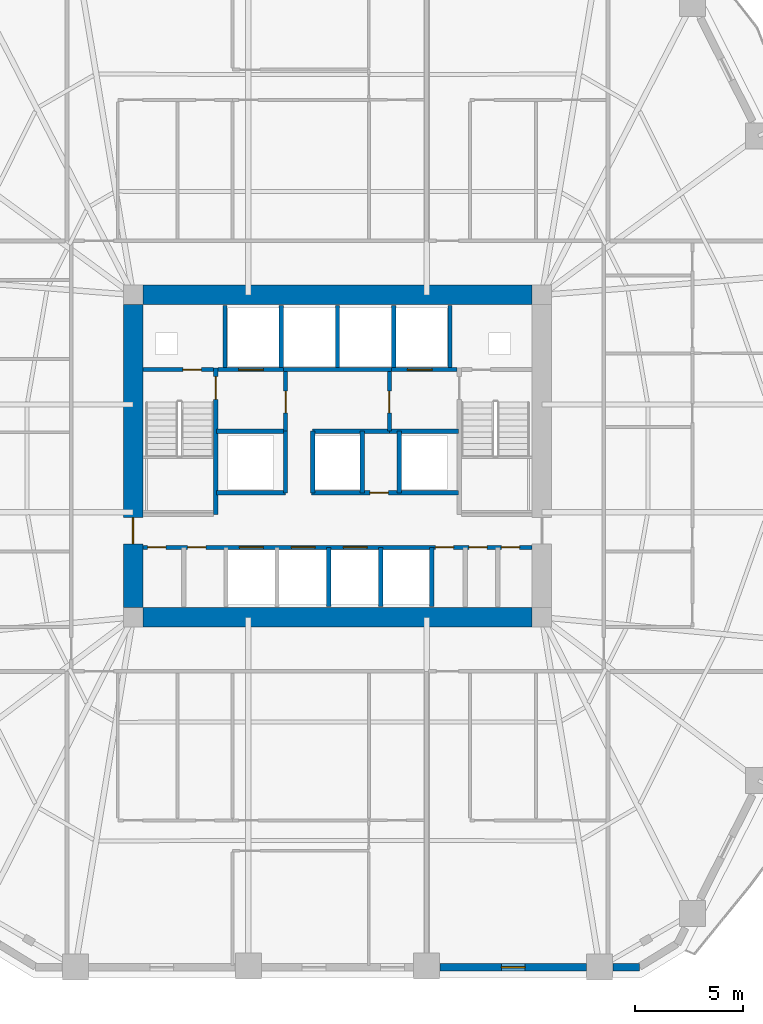
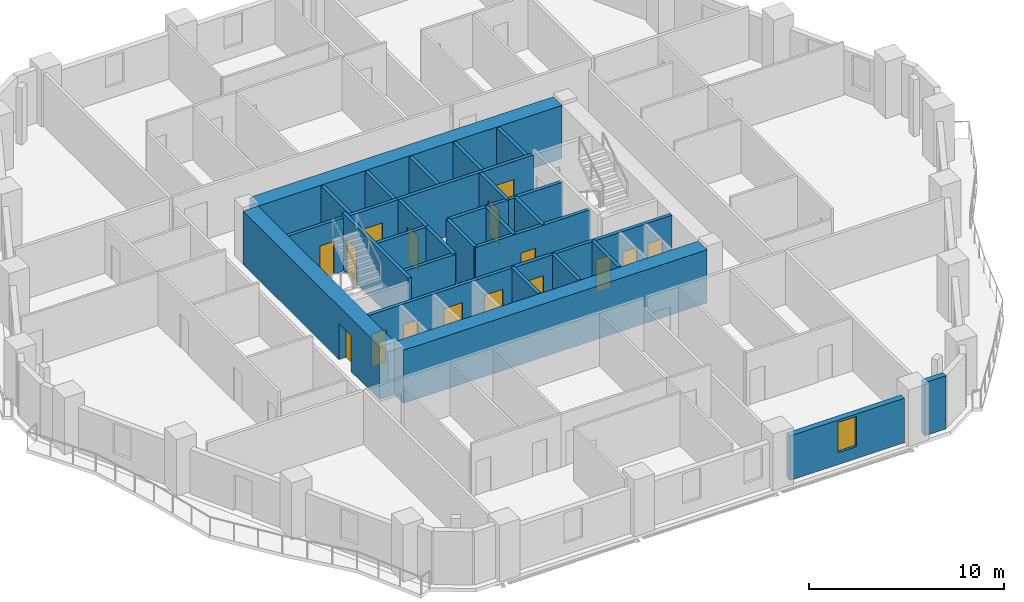
# One storey, part 5 of 11: 30 walls, 16 doors, 1 window, 17 openings.
"""IFC4 building model written with IfcOpenShell, lengths in metres."""

from ifc_helpers import new_model, si_unit, direction, frame, frame_2d, origin, place, context, subcontext, project, spatial, rectangle, extrude, material, layer, layer_set, type_object, element, fill, save


model = new_model("IFC4")

# Units and contexts
model_context = context("Model", 3, precision=1e-05, world=origin(), true_north=direction((0.0, 1.0)))
body_context = subcontext(model_context, "Body", "Model", "MODEL_VIEW")
ifc_project = project(units=[si_unit("LENGTHUNIT", "METRE"), si_unit("AREAUNIT", "SQUARE_METRE"), si_unit("VOLUMEUNIT", "CUBIC_METRE"), si_unit("PLANEANGLEUNIT", "RADIAN"), si_unit("MASSUNIT", "GRAM", prefix="KILO")], contexts=[model_context])

# Site, building, storey
site_placement = place(None, origin())
site = spatial("IfcSite", under=ifc_project, at=site_placement, CompositionType="ELEMENT")
building_placement = place(site_placement, origin())
building = spatial("IfcBuilding", under=site, at=building_placement, Name="Cinnabar Lancet Tower", CompositionType="ELEMENT")
storey_placement = place(building_placement, frame((0.0, 0.0, 56.85009765625)))
storey = spatial("IfcBuildingStorey", under=building, at=storey_placement, Name="L14", CompositionType="ELEMENT", Elevation=56.85009765625)

# Wall, opening, door
ifc_material_1 = material(Name="Autoclaved aerated concrete blockwork", Category="masonry")
ifc_layer_1 = layer(ifc_material_1, 0.199951171875)
ifc_layer_set_1 = layer_set([ifc_layer_1], Name="Autoclaved aerated concrete blockwork")
wall_type_1 = type_object("IfcWallType", Name="ARC-WL-SHAFT-200", PredefinedType="PLUMBINGWALL", material=ifc_layer_set_1)
wall_1_placement = place(storey_placement, frame((23.405029296875, 29.89990234375, 0.0), z_axis=(0.0, 0.0, 1.0), x_axis=(1.0, 0.0, 0.0)))
wall_1 = element("IfcWall", 1, at=wall_1_placement, inside=storey, type_object=wall_type_1, Name="CW-NSH-W-L14", PredefinedType="PLUMBINGWALL", context=body_context, shape_type="SweptSolid", body=[
    extrude(rectangle(XDim=3.27001953125, YDim=0.199951171875, at=frame_2d((1.635009765625, 0.0))), origin(), (0.0, 0.0, 1.0), 3.329833984375),
])
opening_1_placement = place(wall_1_placement, frame((1.85009765625, 0.0, 0.0)))
opening_1 = element("IfcOpeningElement", 2, at=opening_1_placement, cuts=wall_1, Name="Opening PD-02", PredefinedType="OPENING", context=body_context, shape_type="SweptSolid", body=[
    extrude(rectangle(XDim=0.85009765625, YDim=2.050048828125, at=frame_2d((0.425048828125, 1.02490234375))), frame((0.0, 0.10986328125, 0.0), z_axis=(0.0, -1.0, 0.0), x_axis=(1.0, 0.0, 0.0)), (0.0, 0.0, 1.0), 0.219970703125),
])
ifc_material_2 = material(Name="Fire-rated steel riser access door", Category="steel")
door_type_1 = type_object("IfcDoorType", Name="ARC-DR-RISER", OperationType="NOTDEFINED", PredefinedType="DOOR", material=ifc_material_2)
door_1_placement = place(opening_1_placement, origin())
door_1 = element("IfcDoor", 3, at=door_1_placement, inside=storey, type_object=door_type_1, Name="L14 West Riser Access Door", OperationType="SINGLE_SWING_LEFT", OverallHeight=2.050048828125, OverallWidth=0.85009765625, PredefinedType="DOOR", context=body_context, shape_type="SweptSolid", body=[
    extrude(rectangle(XDim=0.85009765625, YDim=2.050048828125, at=frame_2d((0.425048828125, 1.02490234375))), frame((0.0, 0.02490234375, 0.0), z_axis=(0.0, -1.0, 0.0), x_axis=(1.0, 0.0, 0.0)), (0.0, 0.0, 1.0), 0.050048828125),
])
fill(opening_1, door_1)

wall_2_placement = place(storey_placement, frame((26.885009765625, 29.89990234375, 0.0), z_axis=(0.0, 0.0, 1.0), x_axis=(1.0, 0.0, 0.0)))
wall_2 = element("IfcWall", 4, at=wall_2_placement, inside=storey, type_object=wall_type_1, Name="CW-FL1-L14", PredefinedType="PLUMBINGWALL", context=body_context, shape_type="SweptSolid", body=[
    extrude(rectangle(XDim=3.014892578125, YDim=0.199951171875, at=frame_2d((1.50732421875, 0.0))), origin(), (0.0, 0.0, 1.0), 3.329833984375),
])
opening_2_placement = place(wall_2_placement, frame((0.93994140625, 0.0, 0.0)))
opening_2 = element("IfcOpeningElement", 5, at=opening_2_placement, cuts=wall_2, Name="Opening LD-02", PredefinedType="OPENING", context=body_context, shape_type="SweptSolid", body=[
    extrude(rectangle(XDim=1.14990234375, YDim=2.199951171875, at=frame_2d((0.574951171875, 1.10009765625))), frame((0.0, 0.10986328125, 0.0), z_axis=(0.0, -1.0, 0.0), x_axis=(1.0, 0.0, 0.0)), (0.0, 0.0, 1.0), 0.219970703125),
])
ifc_material_3 = material(Name="Fire-rated stainless steel firefighting lift landing door", Category="steel")
door_type_2 = type_object("IfcDoorType", Name="ARC-DR-LD-FIRE", OperationType="NOTDEFINED", PredefinedType="DOOR", material=ifc_material_3)
door_2_placement = place(opening_2_placement, origin())
door_2 = element("IfcDoor", 6, at=door_2_placement, inside=storey, type_object=door_type_2, Name="L14 Firefighting Lift FL-1 Landing Door", OperationType="DOUBLE_DOOR_SLIDING", OverallHeight=2.199951171875, OverallWidth=1.14990234375, PredefinedType="DOOR", context=body_context, shape_type="SweptSolid", body=[
    extrude(rectangle(XDim=1.14990234375, YDim=2.199951171875, at=frame_2d((0.574951171875, 1.10009765625))), frame((0.0, 0.02490234375, 0.0), z_axis=(0.0, -1.0, 0.0), x_axis=(1.0, 0.0, 0.0)), (0.0, 0.0, 1.0), 0.050048828125),
])
fill(opening_2, door_2)

# Wall
wall_3_placement = place(storey_placement, frame((29.89990234375, 29.89990234375, 0.0), z_axis=(0.0, 0.0, 1.0), x_axis=(1.0, 0.0, 0.0)))
element("IfcWall", 7, at=wall_3_placement, inside=storey, type_object=wall_type_1, Name="CW-PL78-L14", PredefinedType="PLUMBINGWALL", context=body_context, shape_type="SweptSolid", body=[
    extrude(rectangle(XDim=5.0, YDim=0.199951171875, at=frame_2d((2.5, 0.0))), origin(), (0.0, 0.0, 1.0), 3.329833984375),
])

# Wall, opening, door
wall_4_placement = place(storey_placement, frame((34.89990234375, 29.89990234375, 0.0), z_axis=(0.0, 0.0, 1.0), x_axis=(1.0, 0.0, 0.0)))
wall_4 = element("IfcWall", 8, at=wall_4_placement, inside=storey, type_object=wall_type_1, Name="CW-FL2-L14", PredefinedType="PLUMBINGWALL", context=body_context, shape_type="SweptSolid", body=[
    extrude(rectangle(XDim=3.01513671875, YDim=0.199951171875, at=frame_2d((1.507568359375, 0.0))), origin(), (0.0, 0.0, 1.0), 3.329833984375),
])
opening_3_placement = place(wall_4_placement, frame((0.72509765625, 0.0, 0.0)))
opening_3 = element("IfcOpeningElement", 9, at=opening_3_placement, cuts=wall_4, Name="Opening LD-02", PredefinedType="OPENING", context=body_context, shape_type="SweptSolid", body=[
    extrude(rectangle(XDim=1.14990234375, YDim=2.199951171875, at=frame_2d((0.574951171875, 1.10009765625))), frame((0.0, 0.10986328125, 0.0), z_axis=(0.0, -1.0, 0.0), x_axis=(1.0, 0.0, 0.0)), (0.0, 0.0, 1.0), 0.219970703125),
])
door_3_placement = place(opening_3_placement, origin())
door_3 = element("IfcDoor", 10, at=door_3_placement, inside=storey, type_object=door_type_2, Name="L14 Firefighting Lift FL-2 Landing Door", OperationType="DOUBLE_DOOR_SLIDING", OverallHeight=2.199951171875, OverallWidth=1.14990234375, PredefinedType="DOOR", context=body_context, shape_type="SweptSolid", body=[
    extrude(rectangle(XDim=1.14990234375, YDim=2.199951171875, at=frame_2d((0.574951171875, 1.10009765625))), frame((0.0, 0.02490234375, 0.0), z_axis=(0.0, -1.0, 0.0), x_axis=(1.0, 0.0, 0.0)), (0.0, 0.0, 1.0), 0.050048828125),
])
fill(opening_3, door_3)

# Walls
for number, where, z_axis, x_axis, name in (
    (11, (27.199951171875, 30.0, 0.0), (0.0, 0.0, 1.0), (0.0, 1.0, 0.0), "CW-NSH-D1-L14"),
    (12, (29.800048828125, 30.0, 0.0), (0.0, 0.0, 1.0), (0.0, 1.0, 0.0), "CW-NSH-D2-L14"),
    (13, (32.39990234375, 30.0, 0.0), (0.0, 0.0, 1.0), (0.0, 1.0, 0.0), "CW-NSH-D3-L14"),
    (14, (35.0, 30.0, 0.0), (0.0, 0.0, 1.0), (0.0, 1.0, 0.0), "CW-NSH-D4-L14"),
    (15, (37.60009765625, 30.0, 0.0), (0.0, 0.0, 1.0), (0.0, 1.0, 0.0), "CW-NSH-D5-L14"),
):
    element("IfcWall", number, at=place(storey_placement, frame(where, z_axis=z_axis, x_axis=x_axis)), inside=storey, type_object=wall_type_1, Name=name, PredefinedType="PLUMBINGWALL", context=body_context, shape_type="SweptSolid", body=[
        extrude(rectangle(XDim=2.85009765625, YDim=0.199951171875, at=frame_2d((1.425048828125, 0.0))), origin(), (0.0, 0.0, 1.0), 3.329833984375),
    ])

# Wall, opening, door
wall_5_placement = place(storey_placement, frame((30.0, 27.050048828125, 0.0), z_axis=(0.0, 0.0, 1.0), x_axis=(0.0, 1.0, 0.0)))
wall_5 = element("IfcWall", 16, at=wall_5_placement, inside=storey, type_object=wall_type_1, Name="CW-FF1E-L14", PredefinedType="PLUMBINGWALL", context=body_context, shape_type="SweptSolid", body=[
    extrude(rectangle(XDim=2.75, YDim=0.199951171875, at=frame_2d((1.375, 0.0))), origin(), (0.0, 0.0, 1.0), 3.329833984375),
])
opening_4_placement = place(wall_5_placement, frame((0.85009765625, 0.0, 0.0)))
opening_4 = element("IfcOpeningElement", 17, at=opening_4_placement, cuts=wall_5, Name="Opening FD-01", PredefinedType="OPENING", context=body_context, shape_type="SweptSolid", body=[
    extrude(rectangle(XDim=1.0, YDim=2.14990234375, at=frame_2d((0.5, 1.074951171875))), frame((0.0, 0.10986328125, 0.0), z_axis=(0.0, -1.0, 0.0), x_axis=(1.0, 0.0, 0.0)), (0.0, 0.0, 1.0), 0.219970703125),
])
ifc_material_4 = material(Name="Fire-rated timber-core lobby door", Category="wood")
door_type_3 = type_object("IfcDoorType", Name="ARC-DR-FFAL", OperationType="NOTDEFINED", PredefinedType="DOOR", material=ifc_material_4)
door_4_placement = place(opening_4_placement, origin())
door_4 = element("IfcDoor", 18, at=door_4_placement, inside=storey, type_object=door_type_3, Name="L14 FFAL-1 Lobby Fire Door", OperationType="SINGLE_SWING_RIGHT", OverallHeight=2.14990234375, OverallWidth=1.0, PredefinedType="DOOR", context=body_context, shape_type="SweptSolid", body=[
    extrude(rectangle(XDim=1.0, YDim=2.14990234375, at=frame_2d((0.5, 1.074951171875))), frame((0.0, 0.02490234375, 0.0), z_axis=(0.0, -1.0, 0.0), x_axis=(1.0, 0.0, 0.0)), (0.0, 0.0, 1.0), 0.050048828125),
])
fill(opening_4, door_4)

# Wall
wall_6_placement = place(storey_placement, frame((26.800048828125, 27.050048828125, 0.0), z_axis=(0.0, 0.0, 1.0), x_axis=(1.0, 0.0, 0.0)))
element("IfcWall", 19, at=wall_6_placement, inside=storey, type_object=wall_type_1, Name="CW-FF1S-L14", PredefinedType="PLUMBINGWALL", context=body_context, shape_type="SweptSolid", body=[
    extrude(rectangle(XDim=3.199951171875, YDim=0.199951171875, at=frame_2d((1.60009765625, 0.0))), origin(), (0.0, 0.0, 1.0), 3.329833984375),
])

# Wall, opening, door
wall_7_placement = place(storey_placement, frame((34.800048828125, 27.050048828125, 0.0), z_axis=(0.0, 0.0, 1.0), x_axis=(0.0, 1.0, 0.0)))
wall_7 = element("IfcWall", 20, at=wall_7_placement, inside=storey, type_object=wall_type_1, Name="CW-FF2W-L14", PredefinedType="PLUMBINGWALL", context=body_context, shape_type="SweptSolid", body=[
    extrude(rectangle(XDim=2.75, YDim=0.199951171875, at=frame_2d((1.375, 0.0))), origin(), (0.0, 0.0, 1.0), 3.329833984375),
])
opening_5_placement = place(wall_7_placement, frame((0.85009765625, 0.0, 0.0)))
opening_5 = element("IfcOpeningElement", 21, at=opening_5_placement, cuts=wall_7, Name="Opening FD-01", PredefinedType="OPENING", context=body_context, shape_type="SweptSolid", body=[
    extrude(rectangle(XDim=1.0, YDim=2.14990234375, at=frame_2d((0.5, 1.074951171875))), frame((0.0, 0.10986328125, 0.0), z_axis=(0.0, -1.0, 0.0), x_axis=(1.0, 0.0, 0.0)), (0.0, 0.0, 1.0), 0.219970703125),
])
door_5_placement = place(opening_5_placement, origin())
door_5 = element("IfcDoor", 22, at=door_5_placement, inside=storey, type_object=door_type_3, Name="L14 FFAL-2 Lobby Fire Door", OperationType="SINGLE_SWING_LEFT", OverallHeight=2.14990234375, OverallWidth=1.0, PredefinedType="DOOR", context=body_context, shape_type="SweptSolid", body=[
    extrude(rectangle(XDim=1.0, YDim=2.14990234375, at=frame_2d((0.5, 1.074951171875))), frame((0.0, 0.02490234375, 0.0), z_axis=(0.0, -1.0, 0.0), x_axis=(1.0, 0.0, 0.0)), (0.0, 0.0, 1.0), 0.050048828125),
])
fill(opening_5, door_5)

# Walls
for number, where, z_axis, x_axis, name in (
    (23, (34.800048828125, 27.050048828125, 0.0), (0.0, 0.0, 1.0), (1.0, 0.0, 0.0), "CW-FF2S-L14"),
    (24, (26.800048828125, 24.199951171875, 0.0), (0.0, 0.0, 1.0), (1.0, 0.0, 0.0), "CW-PL5S-L14"),
):
    element("IfcWall", number, at=place(storey_placement, frame(where, z_axis=z_axis, x_axis=x_axis)), inside=storey, type_object=wall_type_1, Name=name, PredefinedType="PLUMBINGWALL", context=body_context, shape_type="SweptSolid", body=[
        extrude(rectangle(XDim=3.199951171875, YDim=0.199951171875, at=frame_2d((1.60009765625, 0.0))), origin(), (0.0, 0.0, 1.0), 3.329833984375),
    ])
wall_8_placement = place(storey_placement, frame((30.0, 24.199951171875, 0.0), z_axis=(0.0, 0.0, 1.0), x_axis=(0.0, 1.0, 0.0)))
element("IfcWall", 25, at=wall_8_placement, inside=storey, type_object=wall_type_1, Name="CW-PL5E-L14", PredefinedType="PLUMBINGWALL", context=body_context, shape_type="SweptSolid", body=[
    extrude(rectangle(XDim=2.85009765625, YDim=0.199951171875, at=frame_2d((1.425048828125, 0.0))), origin(), (0.0, 0.0, 1.0), 3.329833984375),
])

# Wall, opening, door
wall_9_placement = place(storey_placement, frame((31.199951171875, 24.199951171875, 0.0), z_axis=(0.0, 0.0, 1.0), x_axis=(1.0, 0.0, 0.0)))
wall_9 = element("IfcWall", 26, at=wall_9_placement, inside=storey, type_object=wall_type_1, Name="CW-PL96S-L14", PredefinedType="PLUMBINGWALL", context=body_context, shape_type="SweptSolid", body=[
    extrude(rectangle(XDim=6.800048828125, YDim=0.199951171875, at=frame_2d((3.39990234375, 0.0))), origin(), (0.0, 0.0, 1.0), 3.329833984375),
])
opening_6_placement = place(wall_9_placement, frame((2.699951171875, 0.0, 0.0)))
opening_6 = element("IfcOpeningElement", 27, at=opening_6_placement, cuts=wall_9, Name="Opening PD-02", PredefinedType="OPENING", context=body_context, shape_type="SweptSolid", body=[
    extrude(rectangle(XDim=0.85009765625, YDim=2.050048828125, at=frame_2d((0.425048828125, 1.02490234375))), frame((0.0, 0.10986328125, 0.0), z_axis=(0.0, -1.0, 0.0), x_axis=(1.0, 0.0, 0.0)), (0.0, 0.0, 1.0), 0.219970703125),
])
door_6_placement = place(opening_6_placement, origin())
door_6 = element("IfcDoor", 28, at=door_6_placement, inside=storey, type_object=door_type_1, Name="L14 BMS Closet Door", OperationType="SINGLE_SWING_LEFT", OverallHeight=2.050048828125, OverallWidth=0.85009765625, PredefinedType="DOOR", context=body_context, shape_type="SweptSolid", body=[
    extrude(rectangle(XDim=0.85009765625, YDim=2.050048828125, at=frame_2d((0.425048828125, 1.02490234375))), frame((0.0, 0.02490234375, 0.0), z_axis=(0.0, -1.0, 0.0), x_axis=(1.0, 0.0, 0.0)), (0.0, 0.0, 1.0), 0.050048828125),
])
fill(opening_6, door_6)

# Walls
for number, where, z_axis, x_axis, name in (
    (29, (31.25, 24.199951171875, 0.0), (0.0, 0.0, 1.0), (0.0, 1.0, 0.0), "CW-PL9W-L14"),
    (30, (33.550048828125, 24.199951171875, 0.0), (0.0, 0.0, 1.0), (0.0, 1.0, 0.0), "CW-PL9E-L14"),
    (31, (35.25, 24.199951171875, 0.0), (0.0, 0.0, 1.0), (0.0, 1.0, 0.0), "CW-PL6W-L14"),
):
    element("IfcWall", number, at=place(storey_placement, frame(where, z_axis=z_axis, x_axis=x_axis)), inside=storey, type_object=wall_type_1, Name=name, PredefinedType="PLUMBINGWALL", context=body_context, shape_type="SweptSolid", body=[
        extrude(rectangle(XDim=2.85009765625, YDim=0.199951171875, at=frame_2d((1.425048828125, 0.0))), origin(), (0.0, 0.0, 1.0), 3.329833984375),
    ])
wall_10_placement = place(storey_placement, frame((31.25, 27.050048828125, 0.0), z_axis=(0.0, 0.0, 1.0), x_axis=(1.0, 0.0, 0.0)))
element("IfcWall", 32, at=wall_10_placement, inside=storey, type_object=wall_type_1, Name="CW-PL96N-L14", PredefinedType="PLUMBINGWALL", context=body_context, shape_type="SweptSolid", body=[
    extrude(rectangle(XDim=3.550048828125, YDim=0.199951171875, at=frame_2d((1.77490234375, 0.0))), origin(), (0.0, 0.0, 1.0), 3.329833984375),
])

# Wall, openings, doors
wall_11_placement = place(storey_placement, frame((23.419921875, 21.679931640625, 0.0), z_axis=(0.0, 0.0, 1.0), x_axis=(1.0, 0.0, 0.0)))
wall_11 = element("IfcWall", 33, at=wall_11_placement, inside=storey, type_object=wall_type_1, Name="CW-SBANDN-L14", PredefinedType="PLUMBINGWALL", context=body_context, shape_type="SweptSolid", body=[
    extrude(rectangle(XDim=17.9599609375, YDim=0.199951171875, at=frame_2d((8.97998046875, 0.0))), origin(), (0.0, 0.0, 1.0), 3.329833984375),
])
opening_7_placement = place(wall_11_placement, frame((4.449951171875, 0.0, 0.0)))
opening_7 = element("IfcOpeningElement", 34, at=opening_7_placement, cuts=wall_11, Name="Opening LD-01", PredefinedType="OPENING", context=body_context, shape_type="SweptSolid", body=[
    extrude(rectangle(XDim=1.10009765625, YDim=2.199951171875, at=frame_2d((0.550048828125, 1.10009765625))), frame((0.0, 0.10986328125, 0.0), z_axis=(0.0, -1.0, 0.0), x_axis=(1.0, 0.0, 0.0)), (0.0, 0.0, 1.0), 0.219970703125),
])
opening_8_placement = place(wall_11_placement, frame((6.85009765625, 0.0, 0.0)))
opening_8 = element("IfcOpeningElement", 35, at=opening_8_placement, cuts=wall_11, Name="Opening LD-01", PredefinedType="OPENING", context=body_context, shape_type="SweptSolid", body=[
    extrude(rectangle(XDim=1.10009765625, YDim=2.199951171875, at=frame_2d((0.550048828125, 1.10009765625))), frame((0.0, 0.10986328125, 0.0), z_axis=(0.0, -1.0, 0.0), x_axis=(1.0, 0.0, 0.0)), (0.0, 0.0, 1.0), 0.219970703125),
])
opening_9_placement = place(wall_11_placement, frame((9.25, 0.0, 0.0)))
opening_9 = element("IfcOpeningElement", 36, at=opening_9_placement, cuts=wall_11, Name="Opening LD-01", PredefinedType="OPENING", context=body_context, shape_type="SweptSolid", body=[
    extrude(rectangle(XDim=1.10009765625, YDim=2.199951171875, at=frame_2d((0.550048828125, 1.10009765625))), frame((0.0, 0.10986328125, 0.0), z_axis=(0.0, -1.0, 0.0), x_axis=(1.0, 0.0, 0.0)), (0.0, 0.0, 1.0), 0.219970703125),
])
opening_10_placement = place(wall_11_placement, frame((0.199951171875, 0.0, 0.0)))
opening_10 = element("IfcOpeningElement", 37, at=opening_10_placement, cuts=wall_11, Name="Opening PD-02", PredefinedType="OPENING", context=body_context, shape_type="SweptSolid", body=[
    extrude(rectangle(XDim=0.85009765625, YDim=2.050048828125, at=frame_2d((0.425048828125, 1.02490234375))), frame((0.0, 0.10986328125, 0.0), z_axis=(0.0, -1.0, 0.0), x_axis=(1.0, 0.0, 0.0)), (0.0, 0.0, 1.0), 0.219970703125),
])
opening_11_placement = place(wall_11_placement, frame((2.050048828125, 0.0, 0.0)))
opening_11 = element("IfcOpeningElement", 38, at=opening_11_placement, cuts=wall_11, Name="Opening PD-02", PredefinedType="OPENING", context=body_context, shape_type="SweptSolid", body=[
    extrude(rectangle(XDim=0.85009765625, YDim=2.050048828125, at=frame_2d((0.425048828125, 1.02490234375))), frame((0.0, 0.10986328125, 0.0), z_axis=(0.0, -1.0, 0.0), x_axis=(1.0, 0.0, 0.0)), (0.0, 0.0, 1.0), 0.219970703125),
])
opening_12_placement = place(wall_11_placement, frame((13.5, 0.0, 0.0)))
opening_12 = element("IfcOpeningElement", 39, at=opening_12_placement, cuts=wall_11, Name="Opening PD-02", PredefinedType="OPENING", context=body_context, shape_type="SweptSolid", body=[
    extrude(rectangle(XDim=0.85009765625, YDim=2.050048828125, at=frame_2d((0.425048828125, 1.02490234375))), frame((0.0, 0.10986328125, 0.0), z_axis=(0.0, -1.0, 0.0), x_axis=(1.0, 0.0, 0.0)), (0.0, 0.0, 1.0), 0.219970703125),
])
opening_13_placement = place(wall_11_placement, frame((15.050048828125, 0.0, 0.0)))
opening_13 = element("IfcOpeningElement", 40, at=opening_13_placement, cuts=wall_11, Name="Opening PD-02", PredefinedType="OPENING", context=body_context, shape_type="SweptSolid", body=[
    extrude(rectangle(XDim=0.85009765625, YDim=2.050048828125, at=frame_2d((0.425048828125, 1.02490234375))), frame((0.0, 0.10986328125, 0.0), z_axis=(0.0, -1.0, 0.0), x_axis=(1.0, 0.0, 0.0)), (0.0, 0.0, 1.0), 0.219970703125),
])
opening_14_placement = place(wall_11_placement, frame((16.550048828125, 0.0, 0.0)))
opening_14 = element("IfcOpeningElement", 41, at=opening_14_placement, cuts=wall_11, Name="Opening PD-02", PredefinedType="OPENING", context=body_context, shape_type="SweptSolid", body=[
    extrude(rectangle(XDim=0.85009765625, YDim=2.050048828125, at=frame_2d((0.425048828125, 1.02490234375))), frame((0.0, 0.10986328125, 0.0), z_axis=(0.0, -1.0, 0.0), x_axis=(1.0, 0.0, 0.0)), (0.0, 0.0, 1.0), 0.219970703125),
])
ifc_material_5 = material(Name="Brushed stainless steel sliding lift door", Category="steel")
door_type_4 = type_object("IfcDoorType", Name="ARC-DR-LD-PASS", OperationType="NOTDEFINED", PredefinedType="DOOR", material=ifc_material_5)
door_7_placement = place(opening_7_placement, origin())
door_7 = element("IfcDoor", 42, at=door_7_placement, inside=storey, type_object=door_type_4, Name="L14 Lift PL-1 Landing Door", OperationType="DOUBLE_DOOR_SLIDING", OverallHeight=2.199951171875, OverallWidth=1.10009765625, PredefinedType="DOOR", context=body_context, shape_type="SweptSolid", body=[
    extrude(rectangle(XDim=1.10009765625, YDim=2.199951171875, at=frame_2d((0.550048828125, 1.10009765625))), frame((0.0, 0.02490234375, 0.0), z_axis=(0.0, -1.0, 0.0), x_axis=(1.0, 0.0, 0.0)), (0.0, 0.0, 1.0), 0.050048828125),
])
fill(opening_7, door_7)
door_8_placement = place(opening_8_placement, origin())
door_8 = element("IfcDoor", 43, at=door_8_placement, inside=storey, type_object=door_type_4, Name="L14 Lift PL-2 Landing Door", OperationType="DOUBLE_DOOR_SLIDING", OverallHeight=2.199951171875, OverallWidth=1.10009765625, PredefinedType="DOOR", context=body_context, shape_type="SweptSolid", body=[
    extrude(rectangle(XDim=1.10009765625, YDim=2.199951171875, at=frame_2d((0.550048828125, 1.10009765625))), frame((0.0, 0.02490234375, 0.0), z_axis=(0.0, -1.0, 0.0), x_axis=(1.0, 0.0, 0.0)), (0.0, 0.0, 1.0), 0.050048828125),
])
fill(opening_8, door_8)
door_9_placement = place(opening_9_placement, origin())
door_9 = element("IfcDoor", 44, at=door_9_placement, inside=storey, type_object=door_type_4, Name="L14 Lift PL-3 Landing Door", OperationType="DOUBLE_DOOR_SLIDING", OverallHeight=2.199951171875, OverallWidth=1.10009765625, PredefinedType="DOOR", context=body_context, shape_type="SweptSolid", body=[
    extrude(rectangle(XDim=1.10009765625, YDim=2.199951171875, at=frame_2d((0.550048828125, 1.10009765625))), frame((0.0, 0.02490234375, 0.0), z_axis=(0.0, -1.0, 0.0), x_axis=(1.0, 0.0, 0.0)), (0.0, 0.0, 1.0), 0.050048828125),
])
fill(opening_9, door_9)
door_10_placement = place(opening_10_placement, origin())
door_10 = element("IfcDoor", 45, at=door_10_placement, inside=storey, type_object=door_type_1, Name="DR-L14-SC2-1", OperationType="SINGLE_SWING_LEFT", OverallHeight=2.050048828125, OverallWidth=0.85009765625, PredefinedType="DOOR", context=body_context, shape_type="SweptSolid", body=[
    extrude(rectangle(XDim=0.85009765625, YDim=2.050048828125, at=frame_2d((0.425048828125, 1.02490234375))), frame((0.0, 0.02490234375, 0.0), z_axis=(0.0, -1.0, 0.0), x_axis=(1.0, 0.0, 0.0)), (0.0, 0.0, 1.0), 0.050048828125),
])
fill(opening_10, door_10)
door_11_placement = place(opening_11_placement, origin())
door_11 = element("IfcDoor", 46, at=door_11_placement, inside=storey, type_object=door_type_1, Name="DR-L14-SC2-2", OperationType="SINGLE_SWING_RIGHT", OverallHeight=2.050048828125, OverallWidth=0.85009765625, PredefinedType="DOOR", context=body_context, shape_type="SweptSolid", body=[
    extrude(rectangle(XDim=0.85009765625, YDim=2.050048828125, at=frame_2d((0.425048828125, 1.02490234375))), frame((0.0, 0.02490234375, 0.0), z_axis=(0.0, -1.0, 0.0), x_axis=(1.0, 0.0, 0.0)), (0.0, 0.0, 1.0), 0.050048828125),
])
fill(opening_11, door_11)
door_12_placement = place(opening_12_placement, origin())
door_12 = element("IfcDoor", 47, at=door_12_placement, inside=storey, type_object=door_type_1, Name="DR-L14-SC2-3", OperationType="SINGLE_SWING_LEFT", OverallHeight=2.050048828125, OverallWidth=0.85009765625, PredefinedType="DOOR", context=body_context, shape_type="SweptSolid", body=[
    extrude(rectangle(XDim=0.85009765625, YDim=2.050048828125, at=frame_2d((0.425048828125, 1.02490234375))), frame((0.0, 0.02490234375, 0.0), z_axis=(0.0, -1.0, 0.0), x_axis=(1.0, 0.0, 0.0)), (0.0, 0.0, 1.0), 0.050048828125),
])
fill(opening_12, door_12)
door_13_placement = place(opening_13_placement, origin())
door_13 = element("IfcDoor", 48, at=door_13_placement, inside=storey, type_object=door_type_1, Name="DR-L14-SC2-4", OperationType="SINGLE_SWING_RIGHT", OverallHeight=2.050048828125, OverallWidth=0.85009765625, PredefinedType="DOOR", context=body_context, shape_type="SweptSolid", body=[
    extrude(rectangle(XDim=0.85009765625, YDim=2.050048828125, at=frame_2d((0.425048828125, 1.02490234375))), frame((0.0, 0.02490234375, 0.0), z_axis=(0.0, -1.0, 0.0), x_axis=(1.0, 0.0, 0.0)), (0.0, 0.0, 1.0), 0.050048828125),
])
fill(opening_13, door_13)
door_14_placement = place(opening_14_placement, origin())
door_14 = element("IfcDoor", 49, at=door_14_placement, inside=storey, type_object=door_type_1, Name="DR-L14-SC2-5", OperationType="SINGLE_SWING_LEFT", OverallHeight=2.050048828125, OverallWidth=0.85009765625, PredefinedType="DOOR", context=body_context, shape_type="SweptSolid", body=[
    extrude(rectangle(XDim=0.85009765625, YDim=2.050048828125, at=frame_2d((0.425048828125, 1.02490234375))), frame((0.0, 0.02490234375, 0.0), z_axis=(0.0, -1.0, 0.0), x_axis=(1.0, 0.0, 0.0)), (0.0, 0.0, 1.0), 0.050048828125),
])
fill(opening_14, door_14)

# Walls
for number, where, z_axis, x_axis, name in (
    (50, (32.0, 18.949951171875, 0.0), (0.0, 0.0, 1.0), (0.0, 1.0, 0.0), "CW-SB-3200-L14"),
    (51, (34.39990234375, 18.949951171875, 0.0), (0.0, 0.0, 1.0), (0.0, 1.0, 0.0), "CW-SB-3440-L14"),
    (52, (36.75, 18.949951171875, 0.0), (0.0, 0.0, 1.0), (0.0, 1.0, 0.0), "CW-SB-3675-L14"),
):
    element("IfcWall", number, at=place(storey_placement, frame(where, z_axis=z_axis, x_axis=x_axis)), inside=storey, type_object=wall_type_1, Name=name, PredefinedType="PLUMBINGWALL", context=body_context, shape_type="SweptSolid", body=[
        extrude(rectangle(XDim=2.72998046875, YDim=0.199951171875, at=frame_2d((1.364990234375, 0.0))), origin(), (0.0, 0.0, 1.0), 3.329833984375),
    ])

# Wall, opening, window
ifc_material_6 = material(Name="Cinnabar red clay brick", Category="masonry")
ifc_layer_2 = layer(ifc_material_6, 0.340087890625)
ifc_layer_set_2 = layer_set([ifc_layer_2], Name="Cinnabar red clay brick")
wall_type_2 = type_object("IfcWallType", Name="ENV-WL-BRK-RED-340", PredefinedType="STANDARD", material=ifc_layer_set_2)
wall_12_placement = place(storey_placement, frame((37.1259765625, 2.280029296875, 0.0), z_axis=(0.0, 0.0, 1.0), x_axis=(1.0, 0.0, 0.0)))
wall_12 = element("IfcWall", 53, at=wall_12_placement, inside=storey, type_object=wall_type_2, Name="L14 Face 1 Masonry Bay Wall 4", PredefinedType="STANDARD", context=body_context, shape_type="SweptSolid", body=[
    extrude(rectangle(XDim=6.787109375, YDim=0.340087890625, at=frame_2d((3.3935546875, 0.0))), origin(), (0.0, 0.0, 1.0), 2.786865234375),
])
opening_15_placement = place(wall_12_placement, frame((2.843017578125, 0.0, 0.75)))
opening_15 = element("IfcOpeningElement", 54, at=opening_15_placement, cuts=wall_12, Name="Opening WN-04", PredefinedType="OPENING", context=body_context, shape_type="SweptSolid", body=[
    extrude(rectangle(XDim=1.10009765625, YDim=1.886962890625, at=frame_2d((0.550048828125, 0.943359375))), frame((0.0, 0.179931640625, 0.0), z_axis=(0.0, -1.0, 0.0), x_axis=(1.0, 0.0, 0.0)), (0.0, 0.0, 1.0), 0.360107421875),
])
ifc_material_7 = material(Name="Thermally broken bronze-anodized aluminium tall lancet window", Category="aluminium")
window_type = type_object("IfcWindowType", Name="ENV-WN-LANCET-1100", PartitioningType="SINGLE_PANEL", PredefinedType="WINDOW", material=ifc_material_7)
window_placement = place(opening_15_placement, origin())
window = element("IfcWindow", 55, at=window_placement, inside=storey, type_object=window_type, Name="L14 Face 1 Gothic Lancet Window 4", OverallHeight=1.886962890625, OverallWidth=1.10009765625, PartitioningType="SINGLE_PANEL", PredefinedType="WINDOW", context=body_context, shape_type="SweptSolid", body=[
    extrude(rectangle(XDim=1.10009765625, YDim=1.886962890625, at=frame_2d((0.550048828125, 0.943359375))), frame((0.0, 0.030029296875, 0.0), z_axis=(0.0, -1.0, 0.0), x_axis=(1.0, 0.0, 0.0)), (0.0, 0.0, 1.0), 0.06005859375),
])
fill(opening_15, window)

# Walls
wall_13_placement = place(storey_placement, frame((45.12109375, 2.280029296875, 0.0), z_axis=(0.0, 0.0, 1.0), x_axis=(1.0, 0.0, 0.0)))
element("IfcWall", 56, at=wall_13_placement, inside=storey, type_object=wall_type_2, Name="L14 Face 1 Masonry Bay Wall 5", PredefinedType="STANDARD", context=body_context, shape_type="SweptSolid", body=[
    extrude(rectangle(XDim=1.244873046875, YDim=0.340087890625, at=frame_2d((0.62255859375, 0.0))), origin(), (0.0, 0.0, 1.0), 3.329833984375),
])
ifc_material_8 = material(Name="Concrete C80/95", Category="concrete")
ifc_layer_3 = layer(ifc_material_8, 0.89990234375)
ifc_layer_set_3 = layer_set([ifc_layer_3], Name="Concrete C80/95")
wall_type_3 = type_object("IfcWallType", Name="STR-WL-CORE-900", PredefinedType="SHEAR", material=ifc_layer_set_3)
for number, where, z_axis, x_axis, name in (
    (57, (23.39990234375, 18.449951171875, 0.0), (0.0, 0.0, 1.0), (1.0, 0.0, 0.0), "L14 Core Shear Wall S"),
    (58, (23.39990234375, 33.35009765625, 0.0), (0.0, 0.0, 1.0), (1.0, 0.0, 0.0), "L14 Core Shear Wall N"),
):
    element("IfcWall", number, at=place(storey_placement, frame(where, z_axis=z_axis, x_axis=x_axis)), inside=storey, type_object=wall_type_3, Name=name, PredefinedType="SHEAR", context=body_context, shape_type="SweptSolid", body=[
        extrude(rectangle(XDim=18.0, YDim=0.89990234375, at=frame_2d((9.0, 0.0))), origin(), (0.0, 0.0, 1.0), 3.329833984375),
    ])

# Wall, opening, door
wall_14_placement = place(storey_placement, frame((22.949951171875, 18.89990234375, 0.0), z_axis=(0.0, 0.0, 1.0), x_axis=(0.0, 1.0, 0.0)))
wall_14 = element("IfcWall", 59, at=wall_14_placement, inside=storey, type_object=wall_type_3, Name="L14 Core Shear Wall W", PredefinedType="SHEAR", context=body_context, shape_type="SweptSolid", body=[
    extrude(rectangle(XDim=14.0, YDim=0.89990234375, at=frame_2d((7.0, 0.0))), origin(), (0.0, 0.0, 1.0), 3.329833984375),
])
opening_16_placement = place(wall_14_placement, frame((2.93994140625, 0.0, 0.0)))
opening_16 = element("IfcOpeningElement", 60, at=opening_16_placement, cuts=wall_14, Name="Opening FD-02", PredefinedType="OPENING", context=body_context, shape_type="SweptSolid", body=[
    extrude(rectangle(XDim=1.219970703125, YDim=2.25, at=frame_2d((0.60986328125, 1.125))), frame((0.0, 0.4599609375, 0.0), z_axis=(0.0, -1.0, 0.0), x_axis=(1.0, 0.0, 0.0)), (0.0, 0.0, 1.0), 0.919921875),
])
ifc_material_9 = material(Name="Fire-rated double-vision core portal door", Category="wood")
door_type_5 = type_object("IfcDoorType", Name="ARC-DR-CPORT", OperationType="NOTDEFINED", PredefinedType="DOOR", material=ifc_material_9)
door_15_placement = place(opening_16_placement, origin())
door_15 = element("IfcDoor", 61, at=door_15_placement, inside=storey, type_object=door_type_5, Name="L14 West Core Lobby Fire Door", OperationType="SINGLE_SWING_RIGHT", OverallHeight=2.25, OverallWidth=1.219970703125, PredefinedType="DOOR", context=body_context, shape_type="SweptSolid", body=[
    extrude(rectangle(XDim=1.219970703125, YDim=2.25, at=frame_2d((0.60986328125, 1.125))), frame((0.0, 0.02490234375, 0.0), z_axis=(0.0, -1.0, 0.0), x_axis=(1.0, 0.0, 0.0)), (0.0, 0.0, 1.0), 0.050048828125),
])
fill(opening_16, door_15)

ifc_material_10 = material(Name="Concrete C50/60", Category="concrete")
ifc_layer_4 = layer(ifc_material_10, 0.199951171875)
ifc_layer_set_4 = layer_set([ifc_layer_4], Name="Concrete C50/60")
wall_type_4 = type_object("IfcWallType", Name="STR-WL-STAIR-200", PredefinedType="SHEAR", material=ifc_layer_set_4)
wall_15_placement = place(storey_placement, frame((26.780029296875, 23.199951171875, 0.0), z_axis=(0.0, 0.0, 1.0), x_axis=(0.0, 1.0, 0.0)))
wall_15 = element("IfcWall", 62, at=wall_15_placement, inside=storey, type_object=wall_type_4, Name="L14 Stair ST-1 Structural Enclosure Wall", PredefinedType="SHEAR", context=body_context, shape_type="SweptSolid", body=[
    extrude(rectangle(XDim=6.780029296875, YDim=0.199951171875, at=frame_2d((3.39013671875, 0.0))), origin(), (0.0, 0.0, 1.0), 3.5498046875),
])
opening_17_placement = place(wall_15_placement, frame((5.320068359375, 0.0, 0.0)))
opening_17 = element("IfcOpeningElement", 63, at=opening_17_placement, cuts=wall_15, Name="Opening SD-01", PredefinedType="OPENING", context=body_context, shape_type="SweptSolid", body=[
    extrude(rectangle(XDim=1.050048828125, YDim=2.14990234375, at=frame_2d((0.52490234375, 1.074951171875))), frame((0.0, 0.10986328125, 0.0), z_axis=(0.0, -1.0, 0.0), x_axis=(1.0, 0.0, 0.0)), (0.0, 0.0, 1.0), 0.219970703125),
])
ifc_material_11 = material(Name="Fire-rated steel stair exit door", Category="steel")
door_type_6 = type_object("IfcDoorType", Name="ARC-DR-STAIR", OperationType="NOTDEFINED", PredefinedType="DOOR", material=ifc_material_11)
door_16_placement = place(opening_17_placement, origin())
door_16 = element("IfcDoor", 64, at=door_16_placement, inside=storey, type_object=door_type_6, Name="L14 Stair ST-1 Fire Door", OperationType="SINGLE_SWING_LEFT", OverallHeight=2.14990234375, OverallWidth=1.050048828125, PredefinedType="DOOR", context=body_context, shape_type="SweptSolid", body=[
    extrude(rectangle(XDim=1.050048828125, YDim=2.14990234375, at=frame_2d((0.52490234375, 1.074951171875))), frame((0.0, 0.02490234375, 0.0), z_axis=(0.0, -1.0, 0.0), x_axis=(1.0, 0.0, 0.0)), (0.0, 0.0, 1.0), 0.050048828125),
])
fill(opening_17, door_16)

save(model, "model.ifc")
